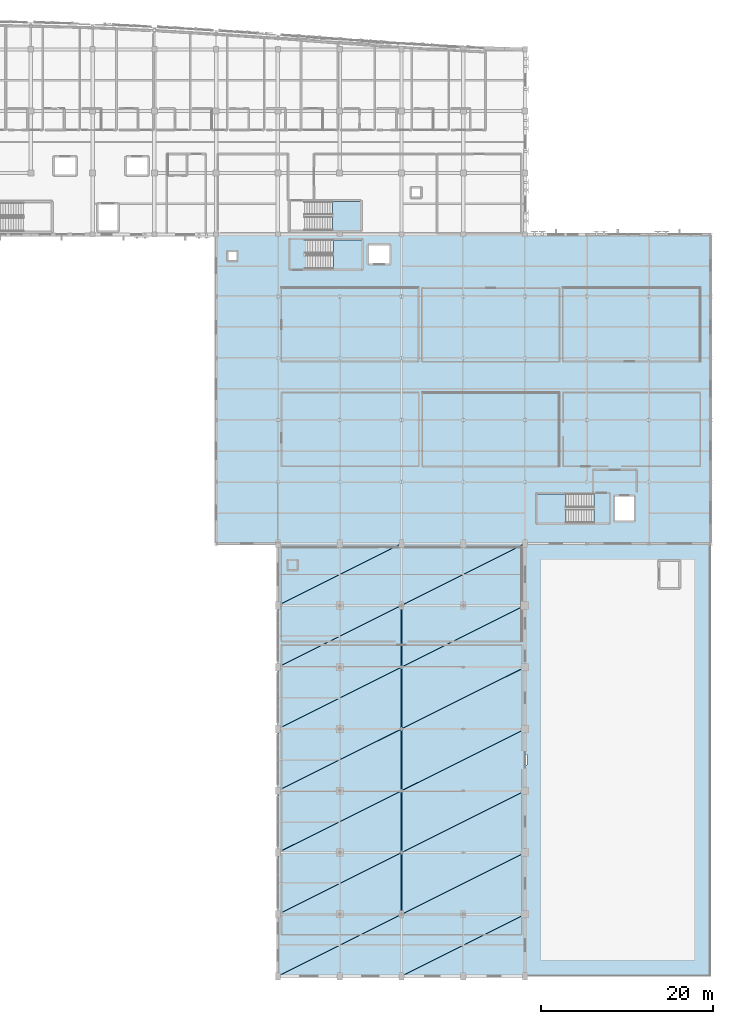
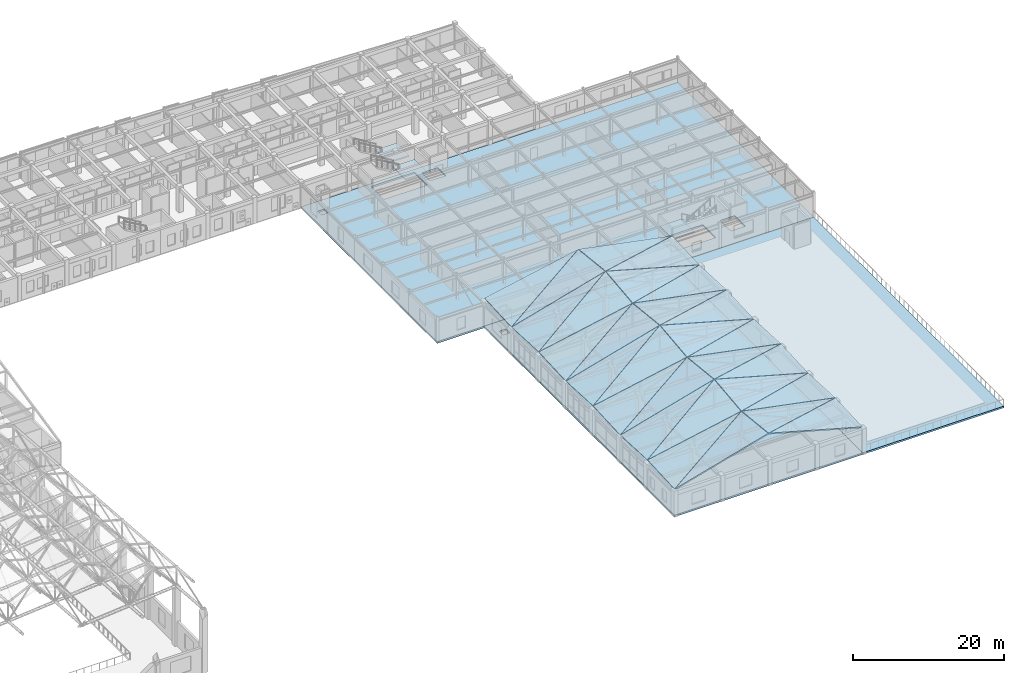
# One storey, part 76 of 113: 34 slabs, 3 elements without a shape of their own.
"""IFC4 building model written with IfcOpenShell, lengths in metres."""

from ifc_helpers import new_model, si_unit, direction, frame, origin, place, context, subcontext, project, spatial, polyline, outline, extrude, material, layer, layer_set, type_object, element, aggregate, save


model = new_model("IFC4")

# Units and contexts
model_context = context("Model", 3, precision=1e-05, world=origin(), true_north=direction((0.0, 1.0)))
body_context = subcontext(model_context, "Body", "Model", "MODEL_VIEW")
ifc_project = project(units=[si_unit("LENGTHUNIT", "METRE"), si_unit("AREAUNIT", "SQUARE_METRE"), si_unit("VOLUMEUNIT", "CUBIC_METRE"), si_unit("PLANEANGLEUNIT", "RADIAN"), si_unit("MASSUNIT", "GRAM", prefix="KILO")], contexts=[model_context])

# Site, building, storey
site_placement = place(None, origin())
site = spatial("IfcSite", under=ifc_project, at=site_placement, CompositionType="ELEMENT")
building_placement = place(site_placement, origin())
building = spatial("IfcBuilding", under=site, at=building_placement, Name="Carrowvane Square Congress Hotel", CompositionType="ELEMENT")
storey_placement = place(building_placement, frame((0.0, 0.0, 15.0)))
storey = spatial("IfcBuildingStorey", under=building, at=storey_placement, Name="L03", CompositionType="ELEMENT", Elevation=15.0)

# Slabs
ifc_material_1 = material(Name="Concrete C35/45", Category="concrete")
ifc_layer_1 = layer(ifc_material_1, 0.280029296875)
ifc_layer_set_1 = layer_set([ifc_layer_1], Name="Concrete C35/45")
slab_type_1 = type_object("IfcSlabType", Name="SLB-FLR-280", PredefinedType="FLOOR", material=ifc_layer_set_1)
slab_1_placement = place(storey_placement, frame((0.0, 0.0, -0.280029296875)))
element("IfcSlab", 1, at=slab_1_placement, inside=storey, type_object=slab_type_1, Name="L03 V2 structural slab", PredefinedType="FLOOR", context=body_context, shape_type="SweptSolid", body=[
    extrude(outline(polyline([(134.0, 5.39990234375), (162.800048828125, 5.39990234375), (162.800048828125, 55.800048828125), (134.0, 55.800048828125), (134.0, 5.39990234375)]), holes=[polyline([(135.199951171875, 52.800048828125), (136.199951171875, 52.800048828125), (136.199951171875, 53.800048828125), (135.199951171875, 53.800048828125), (135.199951171875, 52.800048828125)])]), origin(), (0.0, 0.0, 1.0), 0.280029296875),
])
slab_2_placement = place(storey_placement, frame((0.0, 0.0, -0.280029296875)))
element("IfcSlab", 2, at=slab_2_placement, inside=storey, type_object=slab_type_1, Name="L03 V3 structural slab", PredefinedType="FLOOR", context=body_context, shape_type="SweptSolid", body=[
    extrude(outline(polyline([(126.800048828125, 55.800048828125), (184.39990234375, 55.800048828125), (184.39990234375, 91.800048828125), (126.800048828125, 91.800048828125), (126.800048828125, 55.800048828125)]), holes=[polyline([(170.81005859375, 61.60009765625), (164.199951171875, 61.60009765625), (164.199951171875, 58.199951171875), (170.81005859375, 58.199951171875), (170.81005859375, 61.60009765625)]), polyline([(137.18994140625, 87.800048828125), (143.800048828125, 87.800048828125), (143.800048828125, 91.199951171875), (137.18994140625, 91.199951171875), (137.18994140625, 87.800048828125)]), polyline([(128.199951171875, 88.800048828125), (129.199951171875, 88.800048828125), (129.199951171875, 89.800048828125), (128.199951171875, 89.800048828125), (128.199951171875, 88.800048828125)]), polyline([(173.300048828125, 58.5), (175.5, 58.5), (175.5, 61.300048828125), (173.300048828125, 61.300048828125), (173.300048828125, 58.5)]), polyline([(144.60009765625, 88.449951171875), (147.0, 88.449951171875), (147.0, 90.550048828125), (144.60009765625, 90.550048828125), (144.60009765625, 88.449951171875)])]), origin(), (0.0, 0.0, 1.0), 0.280029296875),
])

# Stair, slab
ifc_material_2 = material(Name="Concrete C35/45", Category="concrete")
stair_type_1 = type_object("IfcStairType", Name="STR-DOG-08", PredefinedType="HALF_TURN_STAIR", material=ifc_material_2)
stair_1_placement = place(storey_placement, origin())
stair_1 = element("IfcStair", 3, at=stair_1_placement, inside=storey, type_object=stair_type_1, Name="L03 Core C4 East Congress Firefighting Stair", PredefinedType="HALF_TURN_STAIR")
ifc_material_3 = material(Name="Concrete C35/45", Category="concrete")
ifc_layer_2 = layer(ifc_material_3, 0.199951171875)
ifc_layer_set_2 = layer_set([ifc_layer_2], Name="Concrete C35/45")
slab_type_2 = type_object("IfcSlabType", Name="SLB-LND-200", PredefinedType="LANDING", material=ifc_layer_set_2)
slab_3_placement = place(storey_placement, frame((0.0, 0.0, 1.89990234375)))
slab_3 = element("IfcSlab", 4, at=slab_3_placement, type_object=slab_type_2, Name="ST4 landing 1", PredefinedType="LANDING", context=body_context, shape_type="SweptSolid", body=[
    extrude(outline(polyline([(167.550048828125, 61.60009765625), (164.199951171875, 61.60009765625), (164.199951171875, 58.199951171875), (167.550048828125, 58.199951171875), (167.550048828125, 61.60009765625)])), origin(), (0.0, 0.0, 1.0), 0.2001953125),
])
aggregate(stair_1, [slab_3])

stair_2_placement = place(storey_placement, origin())
stair_2 = element("IfcStair", 5, at=stair_2_placement, inside=storey, type_object=stair_type_1, Name="L03 Meeting Wing Escape Stair", PredefinedType="HALF_TURN_STAIR")
slab_4_placement = place(storey_placement, frame((0.0, 0.0, 1.89990234375)))
slab_4 = element("IfcSlab", 6, at=slab_4_placement, type_object=slab_type_2, Name="ST8 landing 1", PredefinedType="LANDING", context=body_context, shape_type="SweptSolid", body=[
    extrude(outline(polyline([(140.449951171875, 87.800048828125), (143.800048828125, 87.800048828125), (143.800048828125, 91.199951171875), (140.449951171875, 91.199951171875), (140.449951171875, 87.800048828125)])), origin(), (0.0, 0.0, 1.0), 0.2001953125),
])
aggregate(stair_2, [slab_4])

ifc_material_4 = material(Name="Concrete C35/45", Category="concrete")
stair_type_2 = type_object("IfcStairType", Name="STR-DOG-04", PredefinedType="HALF_TURN_STAIR", material=ifc_material_4)
stair_3_placement = place(storey_placement, origin())
stair_3 = element("IfcStair", 7, at=stair_3_placement, inside=storey, type_object=stair_type_2, Name="L03 East Hotel Wing Escape Stair", PredefinedType="HALF_TURN_STAIR")
slab_5_placement = place(storey_placement, frame((0.0, 0.0, 1.89990234375)))
slab_5 = element("IfcSlab", 8, at=slab_5_placement, type_object=slab_type_2, Name="ST12 landing 1", PredefinedType="LANDING", context=body_context, shape_type="SweptSolid", body=[
    extrude(outline(polyline([(140.3798828125, 92.300048828125), (143.60009765625, 92.300048828125), (143.60009765625, 95.659912109375), (140.3798828125, 95.659912109375), (140.3798828125, 92.300048828125)])), origin(), (0.0, 0.0, 1.0), 0.2001953125),
])
aggregate(stair_3, [slab_5])

# Slabs
ifc_material_5 = material(Name="Concrete C35/45", Category="concrete")
ifc_layer_3 = layer(ifc_material_5, 0.199951171875)
ifc_layer_set_3 = layer_set([ifc_layer_3], Name="Concrete C35/45")
slab_type_3 = type_object("IfcSlabType", Name="SLB-ROOF-200", PredefinedType="ROOF", material=ifc_layer_set_3)
slab_6_placement = place(storey_placement, frame((134.048583984375, 5.412109375, 4.212158203125), z_axis=(-0.266789394497, 0.106438848025, 0.957859170554), x_axis=(0.963351215432, 0.000690456503, 0.268242351232)))
element("IfcSlab", 9, at=slab_6_placement, inside=storey, type_object=slab_type_3, Name="Ballroom pavilion folded triangle roof 1", PredefinedType="ROOF", context=body_context, shape_type="SweptSolid", body=[
    extrude(outline(polyline([(0.0, 0.0), (14.850908366350664, 5.551115123125783e-17), (14.652828479727315, 7.183278880882476), (0.0, 0.0)])), origin(), (0.0, 0.0, -1.0), 0.199951171875),
])
slab_7_placement = place(storey_placement, frame((134.035400390625, 5.435302734375, 4.208740234375), z_axis=(-0.194635555159, -0.047636332119, 0.979718214861), x_axis=(0.87728531507, 0.438306039932, 0.195597268187)))
element("IfcSlab", 10, at=slab_7_placement, inside=storey, type_object=slab_type_3, Name="Ballroom pavilion folded triangle roof 2", PredefinedType="ROOF", context=body_context, shape_type="SweptSolid", body=[
    extrude(outline(polyline([(0.0, 0.0), (16.31870711097063, 3.3306690738754696e-16), (3.2069541342041585, 6.391427972892847), (0.0, 0.0)])), origin(), (0.0, 0.0, -1.0), 0.199951171875),
])
slab_8_placement = place(storey_placement, frame((148.448486328125, 5.412109375, 8.197998046875), z_axis=(0.268021576988, -0.046759813649, 0.9622774829), x_axis=(0.963339653338, 0.000690436434, -0.268283871307)))
element("IfcSlab", 11, at=slab_8_placement, inside=storey, type_object=slab_type_3, Name="Ballroom pavilion folded triangle roof 3", PredefinedType="ROOF", context=body_context, shape_type="SweptSolid", body=[
    extrude(outline(polyline([(0.0, 0.0), (14.851340039878258, 2.7755575615628914e-17), (14.772789522855456, 7.1502110995914965), (0.0, 0.0)])), origin(), (0.0, 0.0, -1.0), 0.199951171875),
])
slab_9_placement = place(storey_placement, frame((148.435302734375, 5.435302734375, 8.199951171875), z_axis=(0.193702500725, 0.108362928546, 0.975057340329), x_axis=(0.872298484326, 0.435814538026, -0.221722896176)))
element("IfcSlab", 12, at=slab_9_placement, inside=storey, type_object=slab_type_3, Name="Ballroom pavilion folded triangle roof 4", PredefinedType="ROOF", context=body_context, shape_type="SweptSolid", body=[
    extrude(outline(polyline([(0.0, 0.0), (16.411999294534226, -1.1518563880486e-15), (3.2974533372723718, 6.385365506505459), (0.0, 0.0)])), origin(), (0.0, 0.0, -1.0), 0.199951171875),
])
slab_10_placement = place(storey_placement, frame((134.048583984375, 12.612060546875, 4.56103515625), z_axis=(-0.193702500725, -0.108362928546, 0.975057340329), x_axis=(0.980817897787, 0.000702975285, 0.194925004055)))
element("IfcSlab", 13, at=slab_10_placement, inside=storey, type_object=slab_type_3, Name="Ballroom pavilion folded triangle roof 5", PredefinedType="ROOF", context=body_context, shape_type="SweptSolid", body=[
    extrude(outline(polyline([(0.0, 0.0), (14.586439192510383, -5.551115123125783e-17), (14.755891836112697, 7.1845234333764), (0.0, 0.0)])), origin(), (0.0, 0.0, -1.0), 0.199951171875),
])
slab_11_placement = place(storey_placement, frame((134.035400390625, 12.63525390625, 4.55810546875), z_axis=(-0.268021576988, 0.046759813649, 0.9622774829), x_axis=(0.872286974629, 0.435808787593, 0.221779472787)))
element("IfcSlab", 14, at=slab_11_placement, inside=storey, type_object=slab_type_3, Name="Ballroom pavilion folded triangle roof 6", PredefinedType="ROOF", context=body_context, shape_type="SweptSolid", body=[
    extrude(outline(polyline([(0.0, 0.0), (16.412215848425504, 1.1102230246251565e-16), (3.0443852905228193, 6.470193749440142), (0.0, 0.0)])), origin(), (0.0, 0.0, -1.0), 0.199951171875),
])
slab_12_placement = place(storey_placement, frame((148.448486328125, 12.612060546875, 7.400634765625), z_axis=(0.194635555159, 0.047636332119, 0.979718214861), x_axis=(0.980824932993, 0.000702968331, -0.194889601197)))
element("IfcSlab", 15, at=slab_12_placement, inside=storey, type_object=slab_type_3, Name="Ballroom pavilion folded triangle roof 7", PredefinedType="ROOF", context=body_context, shape_type="SweptSolid", body=[
    extrude(outline(polyline([(0.0, 0.0), (14.586583481282435, 0.0), (14.6687438366779, 7.150395515463994), (0.0, 0.0)])), origin(), (0.0, 0.0, -1.0), 0.199951171875),
])
slab_13_placement = place(storey_placement, frame((148.435302734375, 12.63525390625, 7.40478515625), z_axis=(0.266789394497, -0.106438848025, 0.957859170554), x_axis=(0.877277612718, 0.438302191712, -0.195640432844)))
element("IfcSlab", 16, at=slab_13_placement, inside=storey, type_object=slab_type_3, Name="Ballroom pavilion folded triangle roof 8", PredefinedType="ROOF", context=body_context, shape_type="SweptSolid", body=[
    extrude(outline(polyline([(0.0, 0.0), (16.318850386495985, -6.661338147750939e-16), (2.9840989851131745, 6.537115906044762), (0.0, 0.0)])), origin(), (0.0, 0.0, -1.0), 0.199951171875),
])
slab_14_placement = place(storey_placement, frame((134.048583984375, 19.81201171875, 4.212158203125), z_axis=(-0.266789394497, 0.106438848025, 0.957859170554), x_axis=(0.963351215432, 0.000690456503, 0.268242351232)))
element("IfcSlab", 17, at=slab_14_placement, inside=storey, type_object=slab_type_3, Name="Ballroom pavilion folded triangle roof 9", PredefinedType="ROOF", context=body_context, shape_type="SweptSolid", body=[
    extrude(outline(polyline([(0.0, 0.0), (14.850908366350664, 5.551115123125783e-17), (14.652828479727315, 7.183278880882476), (0.0, 0.0)])), origin(), (0.0, 0.0, -1.0), 0.199951171875),
])
slab_15_placement = place(storey_placement, frame((134.035400390625, 19.83544921875, 4.208740234375), z_axis=(-0.194635538938, -0.047637956806, 0.979718139086), x_axis=(0.87729106774, 0.43829395318, 0.195598550788)))
element("IfcSlab", 18, at=slab_15_placement, inside=storey, type_object=slab_type_3, Name="Ballroom pavilion folded triangle roof 10", PredefinedType="ROOF", context=body_context, shape_type="SweptSolid", body=[
    extrude(outline(polyline([(0.0, 0.0), (16.31860010413553, -6.938893903907228e-16), (3.2067613023727555, 6.391251903423128), (0.0, 0.0)])), origin(), (0.0, 0.0, -1.0), 0.199951171875),
])
slab_16_placement = place(storey_placement, frame((148.448486328125, 19.81201171875, 8.197998046875), z_axis=(0.268021576988, -0.046759813649, 0.9622774829), x_axis=(0.963339653338, 0.000690436434, -0.268283871307)))
element("IfcSlab", 19, at=slab_16_placement, inside=storey, type_object=slab_type_3, Name="Ballroom pavilion folded triangle roof 11", PredefinedType="ROOF", context=body_context, shape_type="SweptSolid", body=[
    extrude(outline(polyline([(0.0, 0.0), (14.851340039878258, 2.7755575615628914e-17), (14.772789522855456, 7.1502110995914965), (0.0, 0.0)])), origin(), (0.0, 0.0, -1.0), 0.199951171875),
])
slab_17_placement = place(storey_placement, frame((148.435302734375, 19.83544921875, 8.199951171875), z_axis=(0.193702420416, 0.108366589315, 0.975056949437), x_axis=(0.872304139451, 0.435802487582, -0.221724333609)))
element("IfcSlab", 20, at=slab_17_placement, inside=storey, type_object=slab_type_3, Name="Ballroom pavilion folded triangle roof 12", PredefinedType="ROOF", context=body_context, shape_type="SweptSolid", body=[
    extrude(outline(polyline([(0.0, 0.0), (16.411892895971526, -5.828670879282072e-16), (3.297262069435049, 6.3851911952941665), (0.0, 0.0)])), origin(), (0.0, 0.0, -1.0), 0.199951171875),
])
slab_18_placement = place(storey_placement, frame((134.048583984375, 27.01220703125, 4.56103515625), z_axis=(-0.193702420416, -0.108366589315, 0.975056949437), x_axis=(0.980817897787, 0.000702975285, 0.194925004055)))
element("IfcSlab", 21, at=slab_18_placement, inside=storey, type_object=slab_type_3, Name="Ballroom pavilion folded triangle roof 13", PredefinedType="ROOF", context=body_context, shape_type="SweptSolid", body=[
    extrude(outline(polyline([(0.0, 0.0), (14.586439192510383, 0.0), (14.755891664487871, 7.184280730507263), (0.0, 0.0)])), origin(), (0.0, 0.0, -1.0), 0.199951171875),
])
slab_19_placement = place(storey_placement, frame((134.035400390625, 27.035400390625, 4.55810546875), z_axis=(-0.268021576988, 0.046759813649, 0.9622774829), x_axis=(0.872286974629, 0.435808787593, 0.221779472787)))
element("IfcSlab", 22, at=slab_19_placement, inside=storey, type_object=slab_type_3, Name="Ballroom pavilion folded triangle roof 14", PredefinedType="ROOF", context=body_context, shape_type="SweptSolid", body=[
    extrude(outline(polyline([(0.0, 0.0), (16.412215848425504, 1.1102230246251565e-16), (3.0443852905228193, 6.470193749440142), (0.0, 0.0)])), origin(), (0.0, 0.0, -1.0), 0.199951171875),
])
slab_20_placement = place(storey_placement, frame((148.448486328125, 27.01220703125, 7.400634765625), z_axis=(0.194635538938, 0.047637956806, 0.979718139086), x_axis=(0.980824932993, 0.000702968331, -0.194889601197)))
element("IfcSlab", 23, at=slab_20_placement, inside=storey, type_object=slab_type_3, Name="Ballroom pavilion folded triangle roof 15", PredefinedType="ROOF", context=body_context, shape_type="SweptSolid", body=[
    extrude(outline(polyline([(0.0, 0.0), (14.586583481282435, 0.0), (14.668743665054773, 7.150151652070579), (0.0, 0.0)])), origin(), (0.0, 0.0, -1.0), 0.199951171875),
])
slab_21_placement = place(storey_placement, frame((148.435302734375, 27.035400390625, 7.40478515625), z_axis=(0.266789394497, -0.106438848025, 0.957859170554), x_axis=(0.877277612718, 0.438302191712, -0.195640432844)))
element("IfcSlab", 24, at=slab_21_placement, inside=storey, type_object=slab_type_3, Name="Ballroom pavilion folded triangle roof 16", PredefinedType="ROOF", context=body_context, shape_type="SweptSolid", body=[
    extrude(outline(polyline([(0.0, 0.0), (16.318850386495985, -6.661338147750939e-16), (2.9840989851131745, 6.537115906044762), (0.0, 0.0)])), origin(), (0.0, 0.0, -1.0), 0.199951171875),
])
slab_22_placement = place(storey_placement, frame((134.048583984375, 34.212158203125, 4.212158203125), z_axis=(-0.266789394497, 0.106438848025, 0.957859170554), x_axis=(0.963351215432, 0.000690456503, 0.268242351232)))
element("IfcSlab", 25, at=slab_22_placement, inside=storey, type_object=slab_type_3, Name="Ballroom pavilion folded triangle roof 17", PredefinedType="ROOF", context=body_context, shape_type="SweptSolid", body=[
    extrude(outline(polyline([(0.0, 0.0), (14.850908366350664, 5.551115123125783e-17), (14.652828479727315, 7.183278880882476), (0.0, 0.0)])), origin(), (0.0, 0.0, -1.0), 0.199951171875),
])
slab_23_placement = place(storey_placement, frame((134.035400390625, 34.2353515625, 4.208740234375), z_axis=(-0.194635555159, -0.047636332119, 0.979718214861), x_axis=(0.87728531507, 0.438306039932, 0.195597268187)))
element("IfcSlab", 26, at=slab_23_placement, inside=storey, type_object=slab_type_3, Name="Ballroom pavilion folded triangle roof 18", PredefinedType="ROOF", context=body_context, shape_type="SweptSolid", body=[
    extrude(outline(polyline([(0.0, 0.0), (16.31870711097063, 3.3306690738754696e-16), (3.2069541342041585, 6.391427972892847), (0.0, 0.0)])), origin(), (0.0, 0.0, -1.0), 0.199951171875),
])
slab_24_placement = place(storey_placement, frame((148.448486328125, 34.212158203125, 8.197998046875), z_axis=(0.268021576988, -0.046759813649, 0.9622774829), x_axis=(0.963339653338, 0.000690436434, -0.268283871307)))
element("IfcSlab", 27, at=slab_24_placement, inside=storey, type_object=slab_type_3, Name="Ballroom pavilion folded triangle roof 19", PredefinedType="ROOF", context=body_context, shape_type="SweptSolid", body=[
    extrude(outline(polyline([(0.0, 0.0), (14.851340039878258, 2.7755575615628914e-17), (14.772789522855456, 7.1502110995914965), (0.0, 0.0)])), origin(), (0.0, 0.0, -1.0), 0.199951171875),
])
slab_25_placement = place(storey_placement, frame((148.435302734375, 34.2353515625, 8.199951171875), z_axis=(0.193702500725, 0.108362928546, 0.975057340329), x_axis=(0.872298484326, 0.435814538026, -0.221722896176)))
element("IfcSlab", 28, at=slab_25_placement, inside=storey, type_object=slab_type_3, Name="Ballroom pavilion folded triangle roof 20", PredefinedType="ROOF", context=body_context, shape_type="SweptSolid", body=[
    extrude(outline(polyline([(0.0, 0.0), (16.411999294534226, -1.1518563880486e-15), (3.2974533372723718, 6.385365506505459), (0.0, 0.0)])), origin(), (0.0, 0.0, -1.0), 0.199951171875),
])
slab_26_placement = place(storey_placement, frame((134.048583984375, 41.412109375, 4.56103515625), z_axis=(-0.193702500725, -0.108362928546, 0.975057340329), x_axis=(0.980817897787, 0.000702975285, 0.194925004055)))
element("IfcSlab", 29, at=slab_26_placement, inside=storey, type_object=slab_type_3, Name="Ballroom pavilion folded triangle roof 21", PredefinedType="ROOF", context=body_context, shape_type="SweptSolid", body=[
    extrude(outline(polyline([(0.0, 0.0), (14.586439192510383, -5.551115123125783e-17), (14.755891836112697, 7.1845234333764), (0.0, 0.0)])), origin(), (0.0, 0.0, -1.0), 0.199951171875),
])
slab_27_placement = place(storey_placement, frame((134.035400390625, 41.435302734375, 4.55810546875), z_axis=(-0.268021576988, 0.046759813649, 0.9622774829), x_axis=(0.872286974629, 0.435808787593, 0.221779472787)))
element("IfcSlab", 30, at=slab_27_placement, inside=storey, type_object=slab_type_3, Name="Ballroom pavilion folded triangle roof 22", PredefinedType="ROOF", context=body_context, shape_type="SweptSolid", body=[
    extrude(outline(polyline([(0.0, 0.0), (16.412215848425504, 1.1102230246251565e-16), (3.0443852905228193, 6.470193749440142), (0.0, 0.0)])), origin(), (0.0, 0.0, -1.0), 0.199951171875),
])
slab_28_placement = place(storey_placement, frame((148.448486328125, 41.412109375, 7.400634765625), z_axis=(0.194635555159, 0.047636332119, 0.979718214861), x_axis=(0.980824932993, 0.000702968331, -0.194889601197)))
element("IfcSlab", 31, at=slab_28_placement, inside=storey, type_object=slab_type_3, Name="Ballroom pavilion folded triangle roof 23", PredefinedType="ROOF", context=body_context, shape_type="SweptSolid", body=[
    extrude(outline(polyline([(0.0, 0.0), (14.586583481282435, 0.0), (14.6687438366779, 7.150395515463994), (0.0, 0.0)])), origin(), (0.0, 0.0, -1.0), 0.199951171875),
])
slab_29_placement = place(storey_placement, frame((148.435302734375, 41.435302734375, 7.40478515625), z_axis=(0.266789394497, -0.106438848025, 0.957859170554), x_axis=(0.877277612718, 0.438302191712, -0.195640432844)))
element("IfcSlab", 32, at=slab_29_placement, inside=storey, type_object=slab_type_3, Name="Ballroom pavilion folded triangle roof 24", PredefinedType="ROOF", context=body_context, shape_type="SweptSolid", body=[
    extrude(outline(polyline([(0.0, 0.0), (16.318850386495985, -6.661338147750939e-16), (2.9840989851131745, 6.537115906044762), (0.0, 0.0)])), origin(), (0.0, 0.0, -1.0), 0.199951171875),
])
slab_30_placement = place(storey_placement, frame((134.048583984375, 48.612060546875, 4.212158203125), z_axis=(-0.266789394497, 0.106438848025, 0.957859170554), x_axis=(0.963351215432, 0.000690456503, 0.268242351232)))
element("IfcSlab", 33, at=slab_30_placement, inside=storey, type_object=slab_type_3, Name="Ballroom pavilion folded triangle roof 25", PredefinedType="ROOF", context=body_context, shape_type="SweptSolid", body=[
    extrude(outline(polyline([(0.0, 0.0), (14.850908366350664, 5.551115123125783e-17), (14.652828479727315, 7.183278880882476), (0.0, 0.0)])), origin(), (0.0, 0.0, -1.0), 0.199951171875),
])
slab_31_placement = place(storey_placement, frame((134.035400390625, 48.63525390625, 4.208740234375), z_axis=(-0.194635555159, -0.047636332119, 0.979718214861), x_axis=(0.87728531507, 0.438306039932, 0.195597268187)))
element("IfcSlab", 34, at=slab_31_placement, inside=storey, type_object=slab_type_3, Name="Ballroom pavilion folded triangle roof 26", PredefinedType="ROOF", context=body_context, shape_type="SweptSolid", body=[
    extrude(outline(polyline([(0.0, 0.0), (16.31870711097063, 3.3306690738754696e-16), (3.2069541342041585, 6.391427972892847), (0.0, 0.0)])), origin(), (0.0, 0.0, -1.0), 0.199951171875),
])
slab_32_placement = place(storey_placement, frame((148.448486328125, 48.612060546875, 8.197998046875), z_axis=(0.268021576988, -0.046759813649, 0.9622774829), x_axis=(0.963339653338, 0.000690436434, -0.268283871307)))
element("IfcSlab", 35, at=slab_32_placement, inside=storey, type_object=slab_type_3, Name="Ballroom pavilion folded triangle roof 27", PredefinedType="ROOF", context=body_context, shape_type="SweptSolid", body=[
    extrude(outline(polyline([(0.0, 0.0), (14.851340039878258, 2.7755575615628914e-17), (14.772789522855456, 7.1502110995914965), (0.0, 0.0)])), origin(), (0.0, 0.0, -1.0), 0.199951171875),
])
slab_33_placement = place(storey_placement, frame((148.435302734375, 48.63525390625, 8.199951171875), z_axis=(0.193702500725, 0.108362928546, 0.975057340329), x_axis=(0.872298484326, 0.435814538026, -0.221722896176)))
element("IfcSlab", 36, at=slab_33_placement, inside=storey, type_object=slab_type_3, Name="Ballroom pavilion folded triangle roof 28", PredefinedType="ROOF", context=body_context, shape_type="SweptSolid", body=[
    extrude(outline(polyline([(0.0, 0.0), (16.411999294534226, -1.1518563880486e-15), (3.2974533372723718, 6.385365506505459), (0.0, 0.0)])), origin(), (0.0, 0.0, -1.0), 0.199951171875),
])
ifc_material_6 = material(Name="Concrete C35/45", Category="concrete")
ifc_layer_4 = layer(ifc_material_6, 0.280029296875)
ifc_layer_set_4 = layer_set([ifc_layer_4], Name="Concrete C35/45")
slab_type_4 = type_object("IfcSlabType", Name="SLB-TER-280", PredefinedType="FLOOR", material=ifc_layer_set_4)
slab_34_placement = place(storey_placement, frame((0.0, 0.0, -0.280029296875)))
element("IfcSlab", 37, at=slab_34_placement, inside=storey, type_object=slab_type_4, Name="L03 Ballroom Roof Garden", PredefinedType="FLOOR", context=body_context, shape_type="SweptSolid", body=[
    extrude(outline(polyline([(162.800048828125, 5.39990234375), (184.39990234375, 5.39990234375), (184.39990234375, 55.800048828125), (162.800048828125, 55.800048828125), (162.800048828125, 31.199951171875), (163.050048828125, 31.199951171875), (163.050048828125, 30.0), (162.800048828125, 30.0), (162.800048828125, 5.39990234375)])), origin(), (0.0, 0.0, 1.0), 0.280029296875),
])

save(model, "model.ifc")
